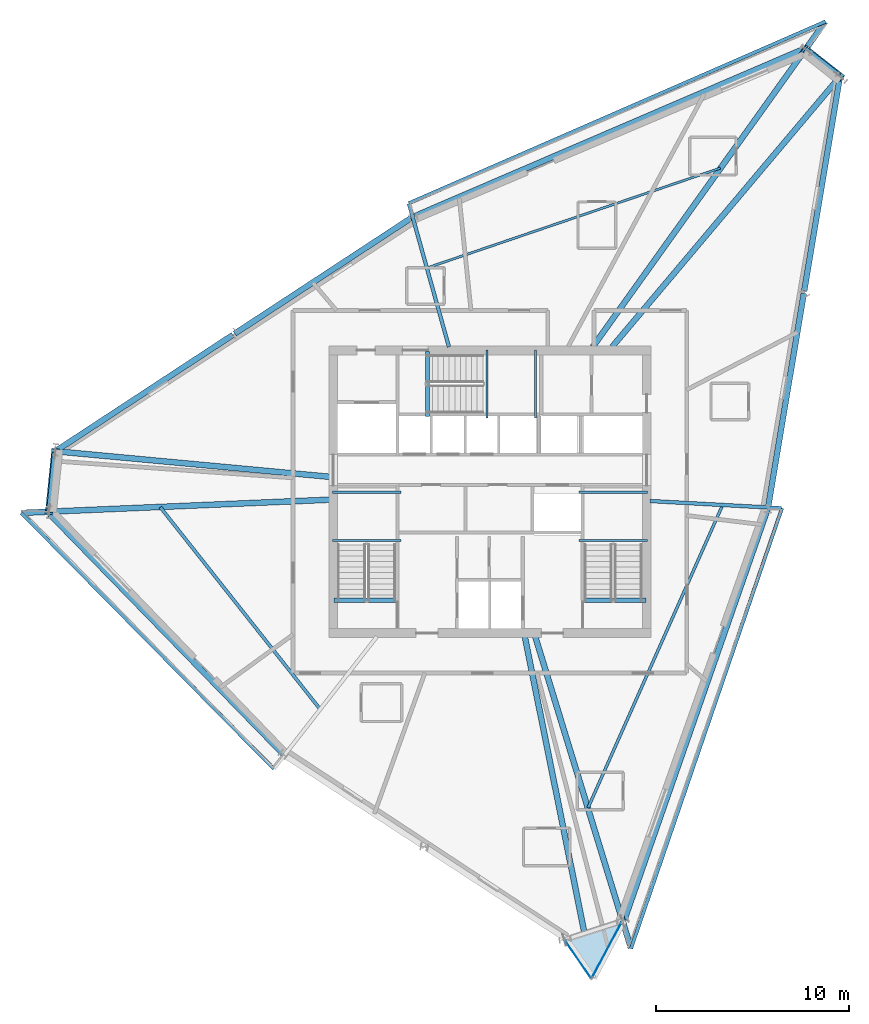
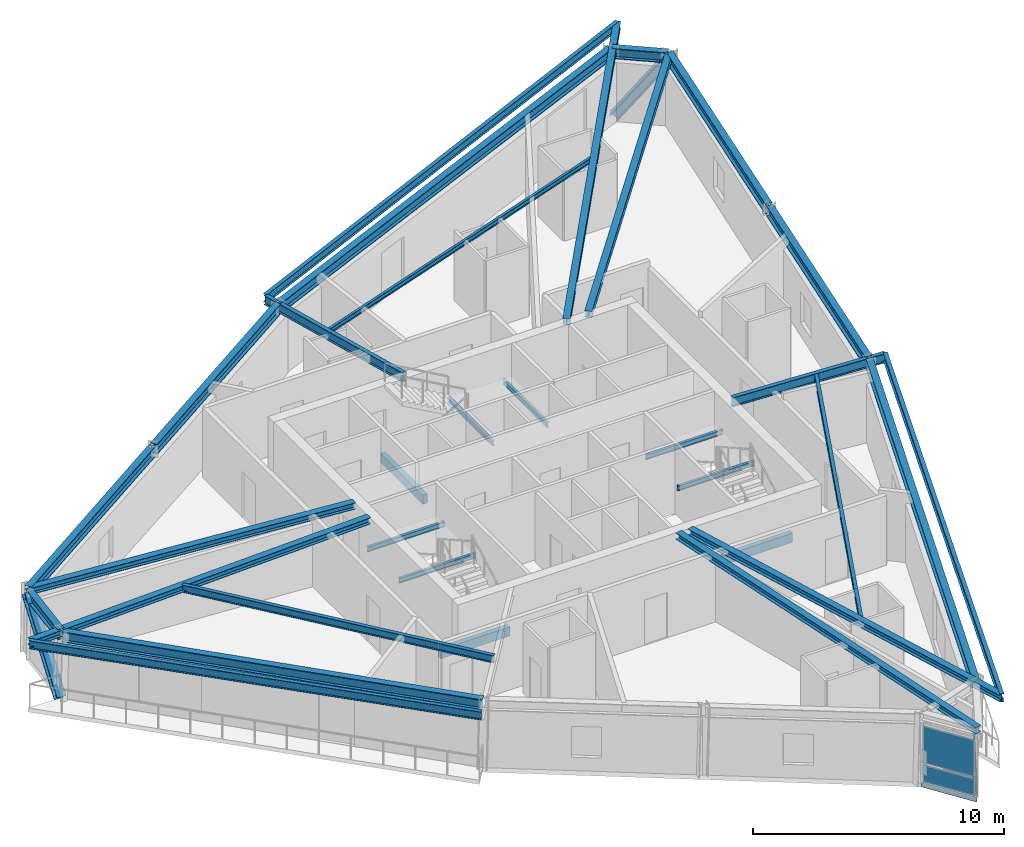
# One storey, part 3 of 13: 32 beams, 3 plates, 2 members, 1 slab, 2 elements without a shape of their own.
"""IFC4 building model written with IfcOpenShell, lengths in metres."""

from ifc_helpers import new_model, si_unit, direction, frame, origin, origin_2d, place, context, subcontext, project, spatial, polyline, rectangle, i_section, outline, extrude, source, transform, mapped, material, layer, layer_set, material_profile, profile_set, type_object, element, aggregate, save


model = new_model("IFC4")

# Units and contexts
model_context = context("Model", 3, precision=1e-05, world=origin(), true_north=direction((0.0, 1.0)))
body_context = subcontext(model_context, "Body", "Model", "MODEL_VIEW")
ifc_project = project(units=[si_unit("LENGTHUNIT", "METRE"), si_unit("AREAUNIT", "SQUARE_METRE"), si_unit("VOLUMEUNIT", "CUBIC_METRE"), si_unit("PLANEANGLEUNIT", "RADIAN"), si_unit("MASSUNIT", "GRAM", prefix="KILO")], contexts=[model_context])

# Site, building, storey
site_placement = place(None, origin())
site = spatial("IfcSite", under=ifc_project, at=site_placement, CompositionType="ELEMENT")
building_placement = place(site_placement, origin())
building = spatial("IfcBuilding", under=site, at=building_placement, Name="Olszyna Solenne Hotel", CompositionType="ELEMENT")
storey_placement = place(building_placement, frame((0.0, 0.0, 248.89990234375)))
storey = spatial("IfcBuildingStorey", under=building, at=storey_placement, Name="L66", CompositionType="ELEMENT", Elevation=248.89990234375)

# Beams
ifc_material_1 = material(Name="Steel S355J2", Category="steel")
ifc_material_profile_1 = material_profile(ifc_material_1, i_section(OverallWidth=0.300048828125, OverallDepth=0.5, WebThickness=0.014404296875, FlangeThickness=0.028076171875, at=origin_2d()), Name="HEB 500", Category="load-bearing")
ifc_profile_set_1 = profile_set([ifc_material_profile_1], Name="Steel S355J2")
beam_type_1 = type_object("IfcBeamType", Name="BM-S3", PredefinedType="BEAM", material=ifc_profile_set_1)
shared_shape_1 = source(origin(), body_context, "Body", "SweptSolid", [
    extrude(i_section(OverallWidth=0.300048828125, OverallDepth=0.5, WebThickness=0.014404296875, FlangeThickness=0.028076171875, at=origin_2d()), origin(), (0.0, 0.0, 1.0), 22.004150390625),
])
beam_1_placement = place(storey_placement, frame((54.244384765625, 49.54052734375, 3.130126953125), z_axis=(-0.918728446624, -0.394889910436, 0.0), x_axis=(0.394889910436, -0.918728446624, 0.0)))
element("IfcBeam", 1, at=beam_1_placement, inside=storey, type_object=beam_type_1, Name="Perimeter spandrel beam BM-S3 B-L66-1942", PredefinedType="BEAM", context=body_context, shape_type="MappedRepresentation", body=[
    mapped(shared_shape_1, transform((0.0, 0.0, 0.0), x_axis=(1.0, 0.0, 0.0), y_axis=(0.0, 1.0, 0.0), z_axis=(0.0, 0.0, 1.0), scale=1.0)),
])
shared_shape_2 = source(origin(), body_context, "Body", "SweptSolid", [
    extrude(i_section(OverallWidth=0.300048828125, OverallDepth=0.5, WebThickness=0.014404296875, FlangeThickness=0.028076171875, at=origin_2d()), origin(), (0.0, 0.0, 1.0), 10.94189453125),
])
for number, where, z_axis, x_axis, name in (
    (2, (33.92333984375, 40.794677734375, 3.130126953125), (-0.836309440771, -0.548257712465, 0.0), (0.548257712465, -0.836309440771, 0.0), "Perimeter spandrel beam BM-S3 B-L66-1943"),
    (3, (24.672119140625, 34.729736328125, 3.130126953125), (-0.836309440771, -0.548257712465, 0.0), (0.548257712465, -0.836309440771, 0.0), "Perimeter spandrel beam BM-S3 B-L66-1944"),
):
    element("IfcBeam", number, at=place(storey_placement, frame(where, z_axis=z_axis, x_axis=x_axis)), inside=storey, type_object=beam_type_1, Name=name, PredefinedType="BEAM", context=body_context, shape_type="MappedRepresentation", body=[
        mapped(shared_shape_2, transform((0.0, 0.0, 0.0), x_axis=(1.0, 0.0, 0.0), y_axis=(0.0, 1.0, 0.0), z_axis=(0.0, 0.0, 1.0), scale=1.0)),
    ])
shared_shape_3 = source(origin(), body_context, "Body", "SweptSolid", [
    extrude(i_section(OverallWidth=0.300048828125, OverallDepth=0.5, WebThickness=0.014404296875, FlangeThickness=0.028076171875, at=origin_2d()), origin(), (0.0, 0.0, 1.0), 11.211669921875),
])
beam_2_placement = place(storey_placement, frame((52.42529296875, 25.823486328125, 3.130126953125), z_axis=(0.164646165913, 0.986352695566, 0.0), x_axis=(-0.986352695566, 0.164646165913, 0.0)))
element("IfcBeam", 4, at=beam_2_placement, inside=storey, type_object=beam_type_1, Name="Perimeter spandrel beam BM-S3 B-L66-1951", PredefinedType="BEAM", context=body_context, shape_type="MappedRepresentation", body=[
    mapped(shared_shape_3, transform((0.0, 0.0, 0.0), x_axis=(1.0, 0.0, 0.0), y_axis=(0.0, 1.0, 0.0), z_axis=(0.0, 0.0, 1.0), scale=1.0)),
])
ifc_material_profile_2 = material_profile(ifc_material_1, i_section(OverallWidth=0.179931640625, OverallDepth=0.39990234375, WebThickness=0.008544921875, FlangeThickness=0.013427734375, at=origin_2d()), Name="IPE 400", Category="load-bearing")
ifc_profile_set_2 = profile_set([ifc_material_profile_2], Name="Steel S355J2")
beam_type_2 = type_object("IfcBeamType", Name="BM-F5", PredefinedType="BEAM", material=ifc_profile_set_2)
shared_shape_4 = source(origin(), body_context, "Body", "SweptSolid", [
    extrude(i_section(OverallWidth=0.179931640625, OverallDepth=0.39990234375, WebThickness=0.008544921875, FlangeThickness=0.013427734375, at=origin_2d()), origin(), (0.0, 0.0, 1.0), 23.561767578125),
])
beam_3_placement = place(storey_placement, frame((55.390380859375, 50.9716796875, 3.18017578125), z_axis=(-0.916608354643, -0.399786348189, 0.0), x_axis=(0.399786348189, -0.916608354643, 0.0)))
element("IfcBeam", 5, at=beam_3_placement, inside=storey, type_object=beam_type_2, Name="Loggia outer edge beam BM-F5 B-L66-1967", PredefinedType="BEAM", context=body_context, shape_type="MappedRepresentation", body=[
    mapped(shared_shape_4, transform((0.0, 0.0, 0.0), x_axis=(1.0, 0.0, 0.0), y_axis=(0.0, 1.0, 0.0), z_axis=(0.0, 0.0, 1.0), scale=1.0)),
])
shared_shape_5 = source(origin(), body_context, "Body", "SweptSolid", [
    extrude(i_section(OverallWidth=0.179931640625, OverallDepth=0.39990234375, WebThickness=0.008544921875, FlangeThickness=0.013427734375, at=origin_2d()), origin(), (0.0, 0.0, 1.0), 24.132568359375),
])
beam_4_placement = place(storey_placement, frame((45.31298828125, 2.916015625, 3.18017578125), z_axis=(0.32438019071, 0.945926789913, 0.0), x_axis=(-0.945926789913, 0.32438019071, 0.0)))
element("IfcBeam", 6, at=beam_4_placement, inside=storey, type_object=beam_type_2, Name="Loggia outer edge beam BM-F5 B-L66-1969", PredefinedType="BEAM", context=body_context, shape_type="MappedRepresentation", body=[
    mapped(shared_shape_5, transform((0.0, 0.0, 0.0), x_axis=(1.0, 0.0, 0.0), y_axis=(0.0, 1.0, 0.0), z_axis=(0.0, 0.0, 1.0), scale=1.0)),
])
shared_shape_6 = source(origin(), body_context, "Body", "SweptSolid", [
    extrude(i_section(OverallWidth=0.300048828125, OverallDepth=0.5, WebThickness=0.014404296875, FlangeThickness=0.028076171875, at=origin_2d()), origin(), (0.0, 0.0, 1.0), 3.130859375),
])
beam_5_placement = place(storey_placement, frame((15.465087890625, 28.63818359375, 3.130126953125), z_axis=(-0.09747298549, -0.995238171042, 0.0), x_axis=(0.995238171042, -0.09747298549, 0.0)))
element("IfcBeam", 7, at=beam_5_placement, inside=storey, type_object=beam_type_1, Name="Perimeter spandrel beam BM-S3 B-L66-1945", PredefinedType="BEAM", context=body_context, shape_type="MappedRepresentation", body=[
    mapped(shared_shape_6, transform((0.0, 0.0, 0.0), x_axis=(1.0, 0.0, 0.0), y_axis=(0.0, 1.0, 0.0), z_axis=(0.0, 0.0, 1.0), scale=1.0)),
])
shared_shape_7 = source(origin(), body_context, "Body", "SweptSolid", [
    extrude(i_section(OverallWidth=0.300048828125, OverallDepth=0.5, WebThickness=0.014404296875, FlangeThickness=0.028076171875, at=origin_2d()), origin(), (0.0, 0.0, 1.0), 17.35400390625),
])
beam_6_placement = place(storey_placement, frame((15.19580078125, 25.41943359375, 3.130126953125), z_axis=(0.697461400956, -0.716622351156, 0.0), x_axis=(0.716622351156, 0.697461400956, 0.0)))
element("IfcBeam", 8, at=beam_6_placement, inside=storey, type_object=beam_type_1, Name="Perimeter spandrel beam BM-S3 B-L66-1946", PredefinedType="BEAM", context=body_context, shape_type="MappedRepresentation", body=[
    mapped(shared_shape_7, transform((0.0, 0.0, 0.0), x_axis=(1.0, 0.0, 0.0), y_axis=(0.0, 1.0, 0.0), z_axis=(0.0, 0.0, 1.0), scale=1.0)),
])
shared_shape_8 = source(origin(), body_context, "Body", "SweptSolid", [
    extrude(i_section(OverallWidth=0.300048828125, OverallDepth=0.5, WebThickness=0.014404296875, FlangeThickness=0.028076171875, at=origin_2d()), origin(), (0.0, 0.0, 1.0), 22.543212890625),
])
beam_7_placement = place(storey_placement, frame((44.97265625, 4.421630859375, 3.130126953125), z_axis=(0.329281218616, 0.944231898988, 0.0), x_axis=(-0.944231898988, 0.329281218616, 0.0)))
element("IfcBeam", 9, at=beam_7_placement, inside=storey, type_object=beam_type_1, Name="Perimeter spandrel beam BM-S3 B-L66-1950", PredefinedType="BEAM", context=body_context, shape_type="MappedRepresentation", body=[
    mapped(shared_shape_8, transform((0.0, 0.0, 0.0), x_axis=(1.0, 0.0, 0.0), y_axis=(0.0, 1.0, 0.0), z_axis=(0.0, 0.0, 1.0), scale=1.0)),
])
shared_shape_9 = source(origin(), body_context, "Body", "SweptSolid", [
    extrude(i_section(OverallWidth=0.300048828125, OverallDepth=0.5, WebThickness=0.014404296875, FlangeThickness=0.028076171875, at=origin_2d()), origin(), (0.0, 0.0, 1.0), 11.2119140625),
])
beam_8_placement = place(storey_placement, frame((54.291015625, 37.00048828125, 3.130126953125), z_axis=(0.164621444536, 0.986356821844, 0.0), x_axis=(-0.986356821844, 0.164621444536, 0.0)))
element("IfcBeam", 10, at=beam_8_placement, inside=storey, type_object=beam_type_1, Name="Perimeter spandrel beam BM-S3 B-L66-1952", PredefinedType="BEAM", context=body_context, shape_type="MappedRepresentation", body=[
    mapped(shared_shape_9, transform((0.0, 0.0, 0.0), x_axis=(1.0, 0.0, 0.0), y_axis=(0.0, 1.0, 0.0), z_axis=(0.0, 0.0, 1.0), scale=1.0)),
])

# Members
ifc_material_2 = material(Name="Steel S460M", Category="steel")
ifc_material_profile_3 = material_profile(ifc_material_2, i_section(OverallWidth=0.40087890625, OverallDepth=0.39892578125, WebThickness=0.02197265625, FlangeThickness=0.034423828125, at=origin_2d()), Name="HD 400x314", Category="load-bearing")
ifc_profile_set_3 = profile_set([ifc_material_profile_3], Name="Steel S460M")
member_type = type_object("IfcMemberType", Name="BR-T3", PredefinedType="BRACE", material=ifc_profile_set_3)
shared_shape_10 = source(origin(), body_context, "Body", "SweptSolid", [
    extrude(i_section(OverallWidth=0.40087890625, OverallDepth=0.39892578125, WebThickness=0.02197265625, FlangeThickness=0.034423828125, at=origin_2d()), origin(), (0.0, 0.0, 1.0), 3.810546875),
])
member_1_placement = place(storey_placement, frame((54.3994140625, 49.492919921875, 0.010009765625), z_axis=(0.458481040451, -0.360711047756, 0.8122085173), x_axis=(0.618325866676, 0.785921829828, 0.0)))
element("IfcMember", 11, at=member_1_placement, inside=storey, type_object=member_type, Name="Perimeter braced-tube diagonal BR-T3 BR-L66-1", PredefinedType="BRACE", context=body_context, shape_type="MappedRepresentation", body=[
    mapped(shared_shape_10, transform((0.0, 0.0, 0.0), x_axis=(1.0, 0.0, 0.0), y_axis=(0.0, 1.0, 0.0), z_axis=(0.0, 0.0, 1.0), scale=1.0)),
])
shared_shape_11 = source(origin(), body_context, "Body", "SweptSolid", [
    extrude(i_section(OverallWidth=0.40087890625, OverallDepth=0.39892578125, WebThickness=0.02197265625, FlangeThickness=0.034423828125, at=origin_2d()), origin(), (0.0, 0.0, 1.0), 4.417724609375),
])
member_2_placement = place(storey_placement, frame((15.149169921875, 25.56201171875, 0.010009765625), z_axis=(0.072839717679, 0.709828022664, 0.700598710939), x_axis=(-0.994776196656, 0.102079961631, 0.0)))
element("IfcMember", 12, at=member_2_placement, inside=storey, type_object=member_type, Name="Perimeter braced-tube diagonal BR-T3 BR-L66-2", PredefinedType="BRACE", context=body_context, shape_type="MappedRepresentation", body=[
    mapped(shared_shape_11, transform((0.0, 0.0, 0.0), x_axis=(1.0, 0.0, 0.0), y_axis=(0.0, 1.0, 0.0), z_axis=(0.0, 0.0, 1.0), scale=1.0)),
])

# Beams
shared_shape_12 = source(origin(), body_context, "Body", "SweptSolid", [
    extrude(i_section(OverallWidth=0.300048828125, OverallDepth=0.5, WebThickness=0.014404296875, FlangeThickness=0.028076171875, at=origin_2d()), origin(), (0.0, 0.0, 1.0), 2.2255859375),
])
beam_9_placement = place(storey_placement, frame((56.099365234375, 48.155517578125, 3.130126953125), z_axis=(-0.787523519461, 0.616284598458, 0.0), x_axis=(-0.616284598458, -0.787523519461, 0.0)))
element("IfcBeam", 13, at=beam_9_placement, inside=storey, type_object=beam_type_1, Name="Perimeter spandrel beam BM-S3 B-L66-1941", PredefinedType="BEAM", context=body_context, shape_type="MappedRepresentation", body=[
    mapped(shared_shape_12, transform((0.0, 0.0, 0.0), x_axis=(1.0, 0.0, 0.0), y_axis=(0.0, 1.0, 0.0), z_axis=(0.0, 0.0, 1.0), scale=1.0)),
])
ifc_material_profile_4 = material_profile(ifc_material_1, i_section(OverallWidth=0.300048828125, OverallDepth=0.31005859375, WebThickness=0.009033203125, FlangeThickness=0.015380859375, at=origin_2d()), Name="HEA 320", Category="load-bearing")
ifc_profile_set_4 = profile_set([ifc_material_profile_4], Name="Steel S355J2")
beam_type_3 = type_object("IfcBeamType", Name="BM-G3", PredefinedType="BEAM", material=ifc_profile_set_4)
shared_shape_13 = source(origin(), body_context, "Body", "SweptSolid", [
    extrude(i_section(OverallWidth=0.300048828125, OverallDepth=0.31005859375, WebThickness=0.009033203125, FlangeThickness=0.015380859375, at=origin_2d()), origin(), (0.0, 0.0, 1.0), 18.26220703125),
])
beam_10_placement = place(storey_placement, frame((56.10791015625, 48.072509765625, 3.22509765625), z_axis=(-0.644674468742, -0.764457212244, 0.0), x_axis=(0.764457212244, -0.644674468742, 0.0)))
element("IfcBeam", 14, at=beam_10_placement, inside=storey, type_object=beam_type_3, Name="Radial floor girder BM-G3 B-L66-1953", PredefinedType="BEAM", context=body_context, shape_type="MappedRepresentation", body=[
    mapped(shared_shape_13, transform((0.0, 0.0, 0.0), x_axis=(1.0, 0.0, 0.0), y_axis=(0.0, 1.0, 0.0), z_axis=(0.0, 0.0, 1.0), scale=1.0)),
])
shared_shape_14 = source(origin(), body_context, "Body", "SweptSolid", [
    extrude(i_section(OverallWidth=0.300048828125, OverallDepth=0.31005859375, WebThickness=0.009033203125, FlangeThickness=0.015380859375, at=origin_2d()), origin(), (0.0, 0.0, 1.0), 20.7119140625),
])
beam_11_placement = place(storey_placement, frame((55.37890625, 50.95556640625, 3.22509765625), z_axis=(-0.581746533952, -0.813370131143, 0.0), x_axis=(0.813370131143, -0.581746533952, 0.0)))
element("IfcBeam", 15, at=beam_11_placement, inside=storey, type_object=beam_type_3, Name="Radial floor girder BM-G3 B-L66-1954", PredefinedType="BEAM", context=body_context, shape_type="MappedRepresentation", body=[
    mapped(shared_shape_14, transform((0.0, 0.0, 0.0), x_axis=(1.0, 0.0, 0.0), y_axis=(0.0, 1.0, 0.0), z_axis=(0.0, 0.0, 1.0), scale=1.0)),
])
ifc_material_profile_5 = material_profile(ifc_material_1, i_section(OverallWidth=0.18994140625, OverallDepth=0.449951171875, WebThickness=0.009521484375, FlangeThickness=0.0146484375, at=origin_2d()), Name="IPE 450", Category="load-bearing")
ifc_profile_set_5 = profile_set([ifc_material_profile_5], Name="Steel S355J2")
beam_type_4 = type_object("IfcBeamType", Name="BM-F4", PredefinedType="BEAM", material=ifc_profile_set_5)
shared_shape_15 = source(origin(), body_context, "Body", "SweptSolid", [
    extrude(i_section(OverallWidth=0.18994140625, OverallDepth=0.449951171875, WebThickness=0.009521484375, FlangeThickness=0.0146484375, at=origin_2d()), origin(), (0.0, 0.0, 1.0), 7.716064453125),
])
beam_12_placement = place(storey_placement, frame((33.798828125, 41.53271484375, 3.155029296875), z_axis=(0.269325945075, -0.963049082503, 0.0), x_axis=(0.963049082503, 0.269325945075, 0.0)))
element("IfcBeam", 16, at=beam_12_placement, inside=storey, type_object=beam_type_4, Name="Radial floor girder BM-F4 B-L66-1955", PredefinedType="BEAM", context=body_context, shape_type="MappedRepresentation", body=[
    mapped(shared_shape_15, transform((0.0, 0.0, 0.0), x_axis=(1.0, 0.0, 0.0), y_axis=(0.0, 1.0, 0.0), z_axis=(0.0, 0.0, 1.0), scale=1.0)),
])
shared_shape_16 = source(origin(), body_context, "Body", "SweptSolid", [
    extrude(i_section(OverallWidth=0.300048828125, OverallDepth=0.31005859375, WebThickness=0.009033203125, FlangeThickness=0.015380859375, at=origin_2d()), origin(), (0.0, 0.0, 1.0), 14.230224609375),
])
beam_13_placement = place(storey_placement, frame((15.53076171875, 28.692138671875, 3.22509765625), z_axis=(0.995692822256, -0.0927135573, 0.0), x_axis=(0.0927135573, 0.995692822256, 0.0)))
element("IfcBeam", 17, at=beam_13_placement, inside=storey, type_object=beam_type_3, Name="Radial floor girder BM-G3 B-L66-1956", PredefinedType="BEAM", context=body_context, shape_type="MappedRepresentation", body=[
    mapped(shared_shape_16, transform((0.0, 0.0, 0.0), x_axis=(1.0, 0.0, 0.0), y_axis=(0.0, 1.0, 0.0), z_axis=(0.0, 0.0, 1.0), scale=1.0)),
])
shared_shape_17 = source(origin(), body_context, "Body", "SweptSolid", [
    extrude(i_section(OverallWidth=0.300048828125, OverallDepth=0.31005859375, WebThickness=0.009033203125, FlangeThickness=0.015380859375, at=origin_2d()), origin(), (0.0, 0.0, 1.0), 15.991943359375),
])
beam_14_placement = place(storey_placement, frame((13.72265625, 25.504638671875, 3.22509765625), z_axis=(0.999089870488, 0.042654785052, 0.0), x_axis=(-0.042654785052, 0.999089870488, 0.0)))
element("IfcBeam", 18, at=beam_14_placement, inside=storey, type_object=beam_type_3, Name="Radial floor girder BM-G3 B-L66-1957", PredefinedType="BEAM", context=body_context, shape_type="MappedRepresentation", body=[
    mapped(shared_shape_17, transform((0.0, 0.0, 0.0), x_axis=(1.0, 0.0, 0.0), y_axis=(0.0, 1.0, 0.0), z_axis=(0.0, 0.0, 1.0), scale=1.0)),
])
shared_shape_18 = source(origin(), body_context, "Body", "SweptSolid", [
    extrude(i_section(OverallWidth=0.300048828125, OverallDepth=0.31005859375, WebThickness=0.009033203125, FlangeThickness=0.015380859375, at=origin_2d()), origin(), (0.0, 0.0, 1.0), 18.05810546875),
])
beam_15_placement = place(storey_placement, frame((43.36767578125, 1.3955078125, 3.22509765625), z_axis=(-0.197332752289, 0.980336567141, 0.0), x_axis=(-0.980336567141, -0.197332752289, 0.0)))
element("IfcBeam", 19, at=beam_15_placement, inside=storey, type_object=beam_type_3, Name="Radial floor girder BM-G3 B-L66-1959", PredefinedType="BEAM", context=body_context, shape_type="MappedRepresentation", body=[
    mapped(shared_shape_18, transform((0.0, 0.0, 0.0), x_axis=(1.0, 0.0, 0.0), y_axis=(0.0, 1.0, 0.0), z_axis=(0.0, 0.0, 1.0), scale=1.0)),
])
shared_shape_19 = source(origin(), body_context, "Body", "SweptSolid", [
    extrude(i_section(OverallWidth=0.300048828125, OverallDepth=0.31005859375, WebThickness=0.009033203125, FlangeThickness=0.015380859375, at=origin_2d()), origin(), (0.0, 0.0, 1.0), 16.906982421875),
])
beam_16_placement = place(storey_placement, frame((45.30712890625, 2.93505859375, 3.22509765625), z_axis=(-0.293441432194, 0.955977053005, 0.0), x_axis=(-0.955977053005, -0.293441432194, 0.0)))
element("IfcBeam", 20, at=beam_16_placement, inside=storey, type_object=beam_type_3, Name="Radial floor girder BM-G3 B-L66-1960", PredefinedType="BEAM", context=body_context, shape_type="MappedRepresentation", body=[
    mapped(shared_shape_19, transform((0.0, 0.0, 0.0), x_axis=(1.0, 0.0, 0.0), y_axis=(0.0, 1.0, 0.0), z_axis=(0.0, 0.0, 1.0), scale=1.0)),
])
shared_shape_20 = source(origin(), body_context, "Body", "SweptSolid", [
    extrude(i_section(OverallWidth=0.18994140625, OverallDepth=0.449951171875, WebThickness=0.009521484375, FlangeThickness=0.0146484375, at=origin_2d()), origin(), (0.0, 0.0, 1.0), 6.831298828125),
])
beam_17_placement = place(storey_placement, frame((53.12109375, 25.744873046875, 3.155029296875), z_axis=(-0.998500011917, 0.05475149498, 0.0), x_axis=(-0.05475149498, -0.998500011917, 0.0)))
element("IfcBeam", 21, at=beam_17_placement, inside=storey, type_object=beam_type_4, Name="Radial floor girder BM-F4 B-L66-1961", PredefinedType="BEAM", context=body_context, shape_type="MappedRepresentation", body=[
    mapped(shared_shape_20, transform((0.0, 0.0, 0.0), x_axis=(1.0, 0.0, 0.0), y_axis=(0.0, 1.0, 0.0), z_axis=(0.0, 0.0, 1.0), scale=1.0)),
])
ifc_material_profile_6 = material_profile(ifc_material_1, i_section(OverallWidth=0.1201171875, OverallDepth=0.239990234375, WebThickness=0.006103515625, FlangeThickness=0.009765625, at=origin_2d()), Name="IPE 240", Category="load-bearing")
ifc_profile_set_6 = profile_set([ifc_material_profile_6], Name="Steel S355J2")
beam_type_5 = type_object("IfcBeamType", Name="JS-03", PredefinedType="JOIST", material=ifc_profile_set_6)
shared_shape_21 = source(origin(), body_context, "Body", "SweptSolid", [
    extrude(i_section(OverallWidth=0.1201171875, OverallDepth=0.239990234375, WebThickness=0.006103515625, FlangeThickness=0.009765625, at=origin_2d()), origin(), (0.0, 0.0, 1.0), 16.05029296875),
])
beam_18_placement = place(storey_placement, frame((49.9443359375, 43.377197265625, 3.260009765625), z_axis=(-0.946671822511, -0.322199411023, 0.0), x_axis=(0.322199411023, -0.946671822511, 0.0)))
element("IfcBeam", 22, at=beam_18_placement, inside=storey, type_object=beam_type_5, Name="Secondary composite floor joist JS-03 B-L66-1964", PredefinedType="JOIST", context=body_context, shape_type="MappedRepresentation", body=[
    mapped(shared_shape_21, transform((0.0, 0.0, 0.0), x_axis=(1.0, 0.0, 0.0), y_axis=(0.0, 1.0, 0.0), z_axis=(0.0, 0.0, 1.0), scale=1.0)),
])
ifc_material_profile_7 = material_profile(ifc_material_1, i_section(OverallWidth=0.169921875, OverallDepth=0.360107421875, WebThickness=0.008056640625, FlangeThickness=0.0126953125, at=origin_2d()), Name="IPE 360", Category="load-bearing")
ifc_profile_set_7 = profile_set([ifc_material_profile_7], Name="Steel S355J2")
beam_type_6 = type_object("IfcBeamType", Name="JS-01", PredefinedType="JOIST", material=ifc_profile_set_7)
shared_shape_22 = source(origin(), body_context, "Body", "SweptSolid", [
    extrude(i_section(OverallWidth=0.169921875, OverallDepth=0.360107421875, WebThickness=0.008056640625, FlangeThickness=0.0126953125, at=origin_2d()), origin(), (0.0, 0.0, 1.0), 13.3369140625),
])
beam_19_placement = place(storey_placement, frame((20.913818359375, 25.79541015625, 3.2001953125), z_axis=(0.620417357461, -0.784271829509, 0.0), x_axis=(0.784271829509, 0.620417357461, 0.0)))
element("IfcBeam", 23, at=beam_19_placement, inside=storey, type_object=beam_type_6, Name="Secondary composite floor joist JS-01 B-L66-1965", PredefinedType="JOIST", context=body_context, shape_type="MappedRepresentation", body=[
    mapped(shared_shape_22, transform((0.0, 0.0, 0.0), x_axis=(1.0, 0.0, 0.0), y_axis=(0.0, 1.0, 0.0), z_axis=(0.0, 0.0, 1.0), scale=1.0)),
])
ifc_material_profile_8 = material_profile(ifc_material_1, i_section(OverallWidth=0.14990234375, OverallDepth=0.300048828125, WebThickness=0.007080078125, FlangeThickness=0.0107421875, at=origin_2d()), Name="IPE 300", Category="load-bearing")
ifc_profile_set_8 = profile_set([ifc_material_profile_8], Name="Steel S355J2")
beam_type_7 = type_object("IfcBeamType", Name="JS-02", PredefinedType="JOIST", material=ifc_profile_set_8)
shared_shape_23 = source(origin(), body_context, "Body", "SweptSolid", [
    extrude(i_section(OverallWidth=0.14990234375, OverallDepth=0.300048828125, WebThickness=0.007080078125, FlangeThickness=0.0107421875, at=origin_2d()), origin(), (0.0, 0.0, 1.0), 17.1572265625),
])
beam_20_placement = place(storey_placement, frame((43.0859375, 10.216064453125, 3.22998046875), z_axis=(0.406170152376, 0.913797465152, 0.0), x_axis=(-0.913797465152, 0.406170152376, 0.0)))
element("IfcBeam", 24, at=beam_20_placement, inside=storey, type_object=beam_type_7, Name="Secondary composite floor joist JS-02 B-L66-1966", PredefinedType="JOIST", context=body_context, shape_type="MappedRepresentation", body=[
    mapped(shared_shape_23, transform((0.0, 0.0, 0.0), x_axis=(1.0, 0.0, 0.0), y_axis=(0.0, 1.0, 0.0), z_axis=(0.0, 0.0, 1.0), scale=1.0)),
])
shared_shape_24 = source(origin(), body_context, "Body", "SweptSolid", [
    extrude(i_section(OverallWidth=0.179931640625, OverallDepth=0.39990234375, WebThickness=0.008544921875, FlangeThickness=0.013427734375, at=origin_2d()), origin(), (0.0, 0.0, 1.0), 18.640625),
])
beam_21_placement = place(storey_placement, frame((13.70263671875, 25.50390625, 3.18017578125), z_axis=(0.702408988508, -0.711773568534, 0.0), x_axis=(0.711773568534, 0.702408988508, 0.0)))
element("IfcBeam", 25, at=beam_21_placement, inside=storey, type_object=beam_type_2, Name="Loggia outer edge beam BM-F5 B-L66-1968", PredefinedType="BEAM", context=body_context, shape_type="MappedRepresentation", body=[
    mapped(shared_shape_24, transform((0.0, 0.0, 0.0), x_axis=(1.0, 0.0, 0.0), y_axis=(0.0, 1.0, 0.0), z_axis=(0.0, 0.0, 1.0), scale=1.0)),
])
shared_shape_25 = source(origin(), body_context, "Body", "SweptSolid", [
    extrude(i_section(OverallWidth=0.1201171875, OverallDepth=0.239990234375, WebThickness=0.006103515625, FlangeThickness=0.009765625, at=origin_2d()), origin(), (0.0, 0.0, 1.0), 3.539794921875),
])
for number, where, z_axis, x_axis, name in (
    (26, (33.3798828125, 24.070068359375, 1.47509765625), (-1.0, 0.0, 0.0), (0.0, -1.0, 0.0), "Stair landing support beam JS-03 SLB-ST1-0137"),
    (27, (33.3798828125, 26.580078125, 1.47509765625), (-1.0, 0.0, 0.0), (0.0, -1.0, 0.0), "Stair landing support beam JS-03 SLB-ST1-0138"),
    (28, (46.159912109375, 24.070068359375, 1.47509765625), (-1.0, 0.0, 0.0), (0.0, -1.0, 0.0), "Stair landing support beam JS-03 SLB-ST2-0377"),
    (29, (46.159912109375, 26.580078125, 1.47509765625), (-1.0, 0.0, 0.0), (0.0, -1.0, 0.0), "Stair landing support beam JS-03 SLB-ST2-0378"),
):
    element("IfcBeam", number, at=place(storey_placement, frame(where, z_axis=z_axis, x_axis=x_axis)), inside=storey, type_object=beam_type_5, Name=name, PredefinedType="JOIST", context=body_context, shape_type="MappedRepresentation", body=[
        mapped(shared_shape_25, transform((0.0, 0.0, 0.0), x_axis=(1.0, 0.0, 0.0), y_axis=(0.0, 1.0, 0.0), z_axis=(0.0, 0.0, 1.0), scale=1.0)),
    ])
ifc_material_3 = material(Name="Concrete C50/60", Category="concrete")
ifc_material_profile_9 = material_profile(ifc_material_3, rectangle(XDim=0.219970703125, YDim=0.43994140625, at=origin_2d()), Name="RC 220x440", Category="load-bearing")
ifc_profile_set_9 = profile_set([ifc_material_profile_9], Name="Concrete C50/60")
beam_type_8 = type_object("IfcBeamType", Name="BM-ST1", PredefinedType="BEAM", material=ifc_profile_set_9)
shared_shape_26 = source(origin(), body_context, "Body", "SweptSolid", [
    extrude(rectangle(XDim=0.219970703125, YDim=0.43994140625, at=origin_2d()), origin(), (0.0, 0.0, 1.0), 3.18017578125),
])
for number, where, z_axis, x_axis, name in (
    (30, (33.10009765625, 20.97998046875, -0.204833984375), (-1.0, 0.0, 0.0), (0.0, -1.0, 0.0), "Concrete stair trimmer beam BM-ST1 SHB-ST1-0228"),
    (31, (46.080078125, 20.97998046875, -0.204833984375), (-1.0, 0.0, 0.0), (0.0, -1.0, 0.0), "Concrete stair trimmer beam BM-ST1 SHB-ST2-0468"),
):
    element("IfcBeam", number, at=place(storey_placement, frame(where, z_axis=z_axis, x_axis=x_axis)), inside=storey, type_object=beam_type_8, Name=name, PredefinedType="BEAM", context=body_context, shape_type="MappedRepresentation", body=[
        mapped(shared_shape_26, transform((0.0, 0.0, 0.0), x_axis=(1.0, 0.0, 0.0), y_axis=(0.0, 1.0, 0.0), z_axis=(0.0, 0.0, 1.0), scale=1.0)),
    ])
shared_shape_27 = source(origin(), body_context, "Body", "SweptSolid", [
    extrude(i_section(OverallWidth=0.1201171875, OverallDepth=0.239990234375, WebThickness=0.006103515625, FlangeThickness=0.009765625, at=origin_2d()), origin(), (0.0, 0.0, 1.0), 3.5400390625),
])
for number, where, z_axis, x_axis, name in (
    (32, (37.85009765625, 30.419921875, 1.47509765625), (0.0, 1.0, 0.0), (-1.0, 0.0, 0.0), "Stair landing support beam JS-03 SLB-ST3-0617"),
    (33, (40.360107421875, 30.419921875, 1.47509765625), (0.0, 1.0, 0.0), (-1.0, 0.0, 0.0), "Stair landing support beam JS-03 SLB-ST3-0618"),
):
    element("IfcBeam", number, at=place(storey_placement, frame(where, z_axis=z_axis, x_axis=x_axis)), inside=storey, type_object=beam_type_5, Name=name, PredefinedType="JOIST", context=body_context, shape_type="MappedRepresentation", body=[
        mapped(shared_shape_27, transform((0.0, 0.0, 0.0), x_axis=(1.0, 0.0, 0.0), y_axis=(0.0, 1.0, 0.0), z_axis=(0.0, 0.0, 1.0), scale=1.0)),
    ])
shared_shape_28 = source(origin(), body_context, "Body", "SweptSolid", [
    extrude(rectangle(XDim=0.219970703125, YDim=0.43994140625, at=origin_2d()), origin(), (0.0, 0.0, 1.0), 3.3798828125),
])
beam_22_placement = place(storey_placement, frame((34.760009765625, 30.5, -0.204833984375), z_axis=(0.0, 1.0, 0.0), x_axis=(-1.0, 0.0, 0.0)))
element("IfcBeam", 34, at=beam_22_placement, inside=storey, type_object=beam_type_8, Name="Concrete stair trimmer beam BM-ST1 SHB-ST3-0706", PredefinedType="BEAM", context=body_context, shape_type="MappedRepresentation", body=[
    mapped(shared_shape_28, transform((0.0, 0.0, 0.0), x_axis=(1.0, 0.0, 0.0), y_axis=(0.0, 1.0, 0.0), z_axis=(0.0, 0.0, 1.0), scale=1.0)),
])

# Slab
ifc_layer = layer(ifc_material_3, 0.219970703125, Name="Concrete C50/60")
ifc_layer_set = layer_set([ifc_layer], Name="Concrete C50/60")
slab_type = type_object("IfcSlabType", Name="SL-TW225", PredefinedType="FLOOR", material=ifc_layer_set)
slab_placement = place(storey_placement, frame((0.0, 0.0, -0.219970703125)))
element("IfcSlab", 35, at=slab_placement, inside=storey, type_object=slab_type, Name="Faceted glass-prism floor slab SL-L66-PR", PredefinedType="FLOOR", context=body_context, shape_type="SweptSolid", body=[
    extrude(outline(polyline([(44.84912109375, 4.322265625), (41.880859375, 3.366455078125), (43.261474609375, 1.3525390625), (44.84912109375, 4.322265625)])), origin(), (0.0, 0.0, 1.0), 0.219970703125),
])

# Curtain wall, plate
ifc_material_4 = material(Name="Anodised bronze aluminium", Category="aluminium")
curtain_wall_type = type_object("IfcCurtainWallType", Name="CW-SYS-5", PredefinedType="NOTDEFINED", material=ifc_material_4)
curtain_wall_1_placement = place(storey_placement, origin())
curtain_wall_1 = element("IfcCurtainWall", 36, at=curtain_wall_1_placement, inside=storey, type_object=curtain_wall_type, Name="Unitised curtain wall CW-SYS-5 CW-L66-01", PredefinedType="NOTDEFINED")
ifc_material_5 = material(Name="Low-E triple glazing", Category="glass")
plate_type = type_object("IfcPlateType", Name="PN-PR1", PredefinedType="CURTAIN_PANEL", material=ifc_material_5)
shared_shape_29 = source(origin(), body_context, "Body", "SweptSolid", [
    extrude(rectangle(XDim=3.231689453125, YDim=0.028076171875, at=origin_2d()), origin(), (0.0, 0.0, 1.0), 0.83740234375),
])
plate_1_placement = place(storey_placement, frame((44.05859375, 2.84375, 0.0751953125), z_axis=(0.0, 0.0, 1.0), x_axis=(0.4714490466, 0.881893302197, 0.0)))
plate_1 = element("IfcPlate", 37, at=plate_1_placement, type_object=plate_type, Name="Curtain-wall panel PN-PR1 CP-L66-01-01", PredefinedType="CURTAIN_PANEL", context=body_context, shape_type="MappedRepresentation", body=[
    mapped(shared_shape_29, transform((0.0, 0.0, 0.0), x_axis=(1.0, 0.0, 0.0), y_axis=(0.0, 1.0, 0.0), z_axis=(0.0, 0.0, 1.0), scale=1.0)),
])
aggregate(curtain_wall_1, [plate_1])

# Curtain wall, plates
curtain_wall_2_placement = place(storey_placement, origin())
curtain_wall_2 = element("IfcCurtainWall", 38, at=curtain_wall_2_placement, inside=storey, type_object=curtain_wall_type, Name="Unitised curtain wall CW-SYS-5 CW-L66-02", PredefinedType="NOTDEFINED")
shared_shape_30 = source(origin(), body_context, "Body", "SweptSolid", [
    extrude(rectangle(XDim=2.302001953125, YDim=0.028076171875, at=origin_2d()), origin(), (0.0, 0.0, 1.0), 0.83740234375),
])
plate_2_placement = place(storey_placement, frame((42.568359375, 2.36376953125, 0.0751953125), z_axis=(0.0, 0.0, 1.0), x_axis=(0.565448305203, -0.824783737802, 0.0)))
plate_2 = element("IfcPlate", 39, at=plate_2_placement, type_object=plate_type, Name="Curtain-wall panel PN-PR1 CP-L66-02-01", PredefinedType="CURTAIN_PANEL", context=body_context, shape_type="MappedRepresentation", body=[
    mapped(shared_shape_30, transform((0.0, 0.0, 0.0), x_axis=(1.0, 0.0, 0.0), y_axis=(0.0, 1.0, 0.0), z_axis=(0.0, 0.0, 1.0), scale=1.0)),
])
shared_shape_31 = source(origin(), body_context, "Body", "SweptSolid", [
    extrude(rectangle(XDim=2.302001953125, YDim=0.028076171875, at=origin_2d()), origin(), (0.0, 0.0, 1.0), 1.8095703125),
])
plate_3_placement = place(storey_placement, frame((42.568359375, 2.36376953125, 0.987548828125), z_axis=(0.0, 0.0, 1.0), x_axis=(0.565448305203, -0.824783737802, 0.0)))
plate_3 = element("IfcPlate", 40, at=plate_3_placement, type_object=plate_type, Name="Curtain-wall panel PN-PR1 CP-L66-02-02", PredefinedType="CURTAIN_PANEL", context=body_context, shape_type="MappedRepresentation", body=[
    mapped(shared_shape_31, transform((0.0, 0.0, 0.0), x_axis=(1.0, 0.0, 0.0), y_axis=(0.0, 1.0, 0.0), z_axis=(0.0, 0.0, 1.0), scale=1.0)),
])
aggregate(curtain_wall_2, [plate_2, plate_3])

save(model, "model.ifc")
